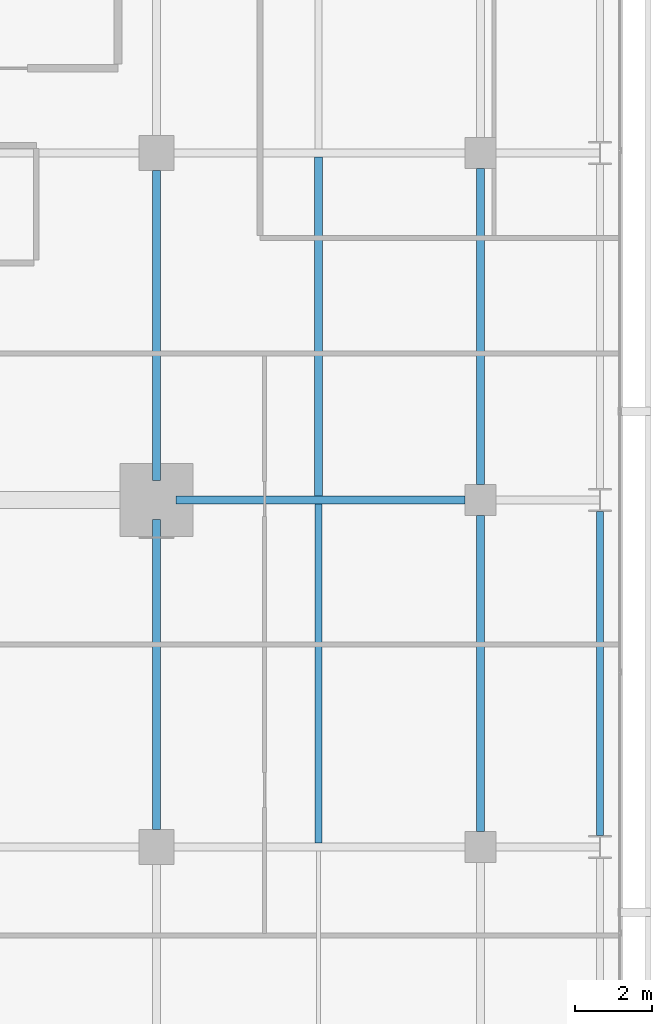
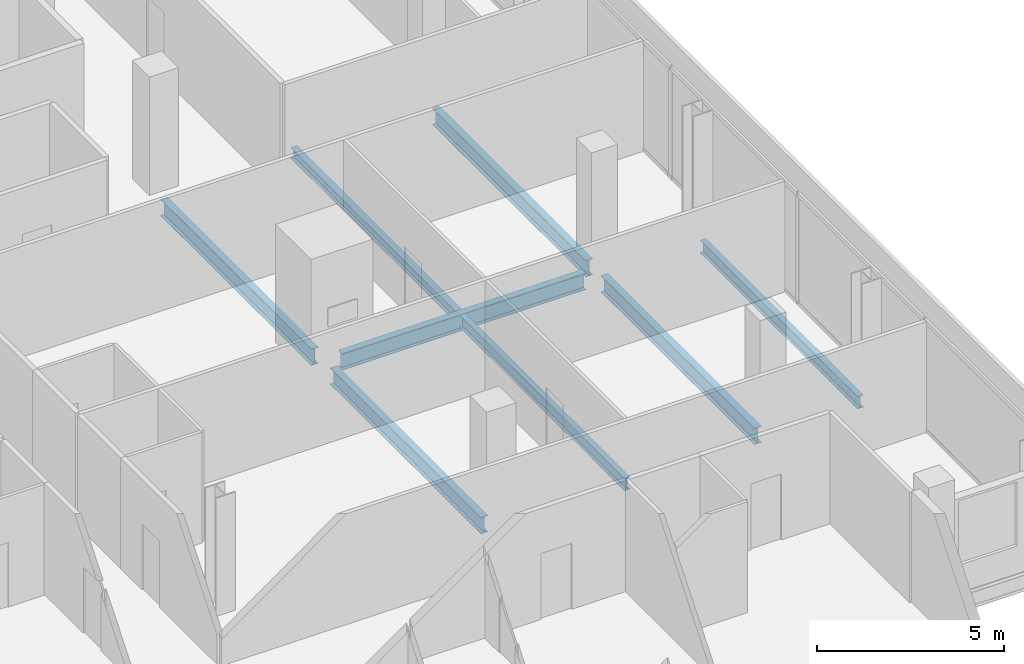
# One storey, part 16 of 33: 8 beams.
"""IFC4 building model written with IfcOpenShell, lengths in metres."""

from ifc_helpers import new_model, si_unit, direction, frame, origin, origin_2d, place, context, subcontext, project, spatial, i_section, extrude, material, material_profile, profile_set, type_object, element, save


model = new_model("IFC4")

# Units and contexts
model_context = context("Model", 3, precision=1e-05, world=origin(), true_north=direction((0.0, 1.0)))
body_context = subcontext(model_context, "Body", "Model", "MODEL_VIEW")
ifc_project = project(units=[si_unit("LENGTHUNIT", "METRE"), si_unit("AREAUNIT", "SQUARE_METRE"), si_unit("VOLUMEUNIT", "CUBIC_METRE"), si_unit("PLANEANGLEUNIT", "RADIAN"), si_unit("MASSUNIT", "GRAM", prefix="KILO")], contexts=[model_context])

# Site, building, storey
site_placement = place(None, origin())
site = spatial("IfcSite", under=ifc_project, at=site_placement, CompositionType="ELEMENT")
building_placement = place(site_placement, origin())
building = spatial("IfcBuilding", under=site, at=building_placement, Name="Maruvema Waterfront Hotel and Observation Tower", CompositionType="ELEMENT")
storey_placement = place(building_placement, frame((0.0, 0.0, 196.699951171875)))
storey = spatial("IfcBuildingStorey", under=building, at=storey_placement, Name="L48", CompositionType="ELEMENT", Elevation=196.699951171875)

# Beams
ifc_material_1 = material(Name="Steel ASTM A572 Grade 50", Category="steel")
ifc_material_profile_1 = material_profile(ifc_material_1, i_section(OverallWidth=0.178955078125, OverallDepth=0.409912109375, WebThickness=0.0087890625, FlangeThickness=0.014404296875, FilletRadius=0.014892578125, at=origin_2d()), Name="W410x67.0")
ifc_profile_set_1 = profile_set([ifc_material_profile_1], Name="Steel ASTM A572 Grade 50")
beam_type_1 = type_object("IfcBeamType", Name="Perimeter Spandrel Beam W410x67.0", PredefinedType="SPANDREL", material=ifc_profile_set_1)
beam_1_placement = place(storey_placement, frame((61.89990234375, 18.300048828125, -0.445068359375), z_axis=(0.0, 1.0, 0.0), x_axis=(-1.0, 0.0, 0.0)))
element("IfcBeam", 1, at=beam_1_placement, inside=storey, type_object=beam_type_1, Name="L48 Floor Girder NS-30", PredefinedType="SPANDREL", context=body_context, shape_type="SweptSolid", body=[
    extrude(i_section(OverallWidth=0.178955078125, OverallDepth=0.409912109375, WebThickness=0.0087890625, FlangeThickness=0.014404296875, FilletRadius=0.014892578125, at=origin_2d()), origin(), (0.0, 0.0, 1.0), 8.39990234375),
])
ifc_material_2 = material(Name="Steel ASTM A572 Grade 50", Category="steel")
ifc_material_profile_2 = material_profile(ifc_material_2, i_section(OverallWidth=0.2109375, OverallDepth=0.5390625, WebThickness=0.01171875, FlangeThickness=0.018798828125, FilletRadius=0.014892578125, at=origin_2d()), Name="W530x109.0")
ifc_profile_set_2 = profile_set([ifc_material_profile_2], Name="Steel ASTM A572 Grade 50")
beam_type_2 = type_object("IfcBeamType", Name="Primary Floor Girder W530x109.0", PredefinedType="BEAM", material=ifc_profile_set_2)
beam_2_placement = place(storey_placement, frame((50.89990234375, 27.0, -0.509521484375), z_axis=(1.0, 0.0, 0.0), x_axis=(0.0, 1.0, 0.0)))
element("IfcBeam", 2, at=beam_2_placement, inside=storey, type_object=beam_type_2, Name="L48 Floor Girder EW-21", PredefinedType="BEAM", context=body_context, shape_type="SweptSolid", body=[
    extrude(i_section(OverallWidth=0.2109375, OverallDepth=0.5390625, WebThickness=0.01171875, FlangeThickness=0.018798828125, FilletRadius=0.014892578125, at=origin_2d()), origin(), (0.0, 0.0, 1.0), 7.5),
])
for number, where, z_axis, x_axis, name in (
    (3, (50.39990234375, 18.449951171875, -0.509521484375), (0.0, 1.0, 0.0), (-1.0, 0.0, 0.0), "L48 Floor Girder NS-22"),
    (4, (50.39990234375, 27.5, -0.509521484375), (0.0, 1.0, 0.0), (-1.0, 0.0, 0.0), "L48 Floor Girder NS-23"),
):
    element("IfcBeam", number, at=place(storey_placement, frame(where, z_axis=z_axis, x_axis=x_axis)), inside=storey, type_object=beam_type_2, Name=name, PredefinedType="BEAM", context=body_context, shape_type="SweptSolid", body=[
        extrude(i_section(OverallWidth=0.2109375, OverallDepth=0.5390625, WebThickness=0.01171875, FlangeThickness=0.018798828125, FilletRadius=0.014892578125, at=origin_2d()), origin(), (0.0, 0.0, 1.0), 8.050048828125),
    ])
for number, where, z_axis, x_axis, name in (
    (5, (58.800048828125, 18.39990234375, -0.509521484375), (0.0, 1.0, 0.0), (-1.0, 0.0, 0.0), "L48 Floor Girder NS-26"),
    (6, (58.800048828125, 27.39990234375, -0.509521484375), (0.0, 1.0, 0.0), (-1.0, 0.0, 0.0), "L48 Floor Girder NS-27"),
):
    element("IfcBeam", number, at=place(storey_placement, frame(where, z_axis=z_axis, x_axis=x_axis)), inside=storey, type_object=beam_type_2, Name=name, PredefinedType="BEAM", context=body_context, shape_type="SweptSolid", body=[
        extrude(i_section(OverallWidth=0.2109375, OverallDepth=0.5390625, WebThickness=0.01171875, FlangeThickness=0.018798828125, FilletRadius=0.014892578125, at=origin_2d()), origin(), (0.0, 0.0, 1.0), 8.2001953125),
    ])
ifc_material_3 = material(Name="Steel ASTM A572 Grade 50", Category="steel")
ifc_material_profile_3 = material_profile(ifc_material_3, i_section(OverallWidth=0.202880859375, OverallDepth=0.346923828125, WebThickness=0.0078125, FlangeThickness=0.013427734375, FilletRadius=0.014892578125, at=origin_2d()), Name="W360x64.0")
ifc_profile_set_3 = profile_set([ifc_material_profile_3], Name="Steel ASTM A572 Grade 50")
beam_type_3 = type_object("IfcBeamType", Name="Secondary Floor Joist W360x64.0", PredefinedType="JOIST", material=ifc_profile_set_3)
beam_3_placement = place(storey_placement, frame((54.60009765625, 27.10546875, -0.413330078125), z_axis=(0.0, 1.0, 0.0), x_axis=(-1.0, 0.0, 0.0)))
element("IfcBeam", 7, at=beam_3_placement, inside=storey, type_object=beam_type_3, Name="L48 Secondary Floor Joist JS-13", PredefinedType="JOIST", context=body_context, shape_type="SweptSolid", body=[
    extrude(i_section(OverallWidth=0.202880859375, OverallDepth=0.346923828125, WebThickness=0.0078125, FlangeThickness=0.013427734375, FilletRadius=0.014892578125, at=origin_2d()), origin(), (0.0, 0.0, 1.0), 8.7890625),
])
ifc_material_4 = material(Name="Steel ASTM A572 Grade 50", Category="steel")
ifc_material_profile_4 = material_profile(ifc_material_4, i_section(OverallWidth=0.177001953125, OverallDepth=0.403076171875, WebThickness=0.007568359375, FlangeThickness=0.010986328125, FilletRadius=0.014892578125, at=origin_2d()), Name="W410x53.0")
ifc_profile_set_4 = profile_set([ifc_material_profile_4], Name="Steel ASTM A572 Grade 50")
beam_type_4 = type_object("IfcBeamType", Name="Secondary Floor Joist W410x53.0", PredefinedType="JOIST", material=ifc_profile_set_4)
beam_4_placement = place(storey_placement, frame((54.60009765625, 18.10546875, -0.44140625), z_axis=(0.0, 1.0, 0.0), x_axis=(-1.0, 0.0, 0.0)))
element("IfcBeam", 8, at=beam_4_placement, inside=storey, type_object=beam_type_4, Name="L48 Secondary Floor Joist JS-12", PredefinedType="JOIST", context=body_context, shape_type="SweptSolid", body=[
    extrude(i_section(OverallWidth=0.177001953125, OverallDepth=0.403076171875, WebThickness=0.007568359375, FlangeThickness=0.010986328125, FilletRadius=0.014892578125, at=origin_2d()), origin(), (0.0, 0.0, 1.0), 8.7890625),
])

save(model, "model.ifc")
